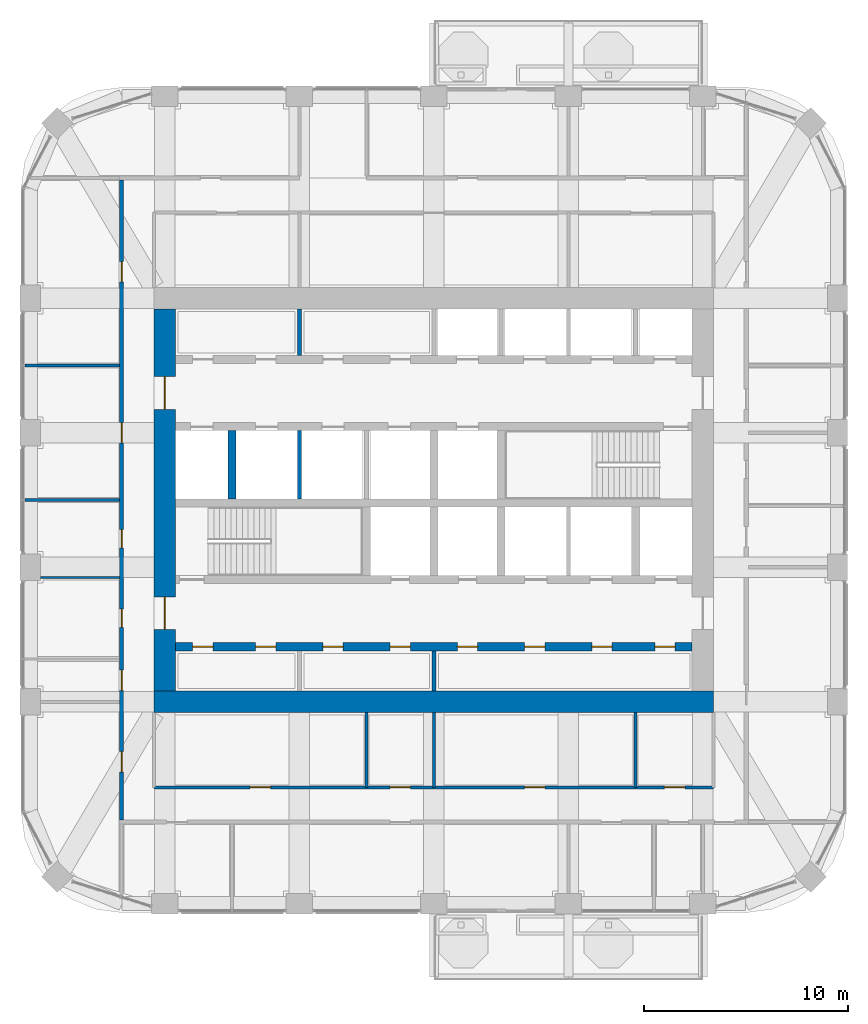
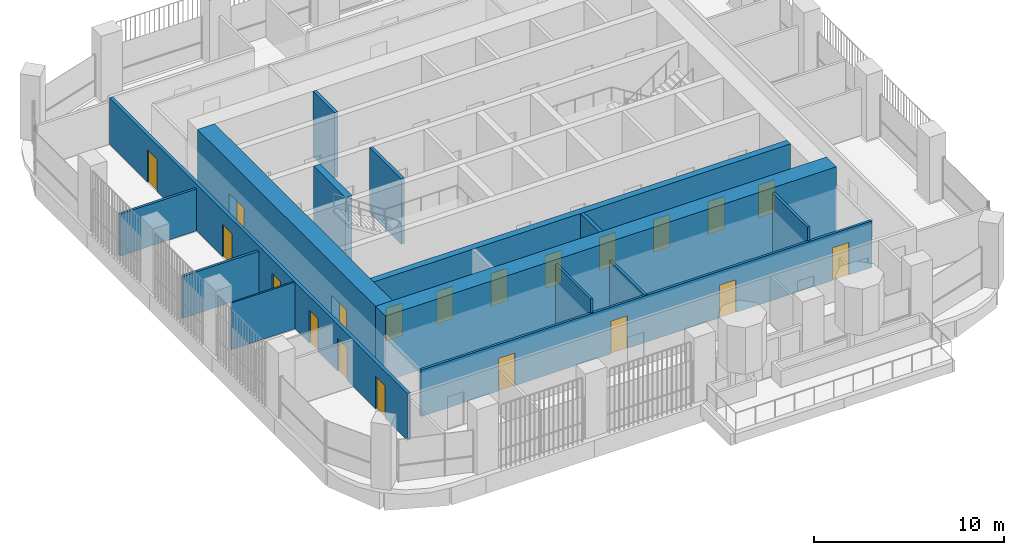
# One storey, part 14 of 20: 20 doors, 15 walls, 20 openings.
"""IFC4 building model written with IfcOpenShell, lengths in metres."""

from ifc_helpers import new_model, si_unit, direction, frame, frame_2d, origin, place, context, subcontext, project, spatial, rectangle, extrude, material, layer, layer_set, type_object, element, fill, save


model = new_model("IFC4")

# Units and contexts
model_context = context("Model", 3, precision=1e-05, world=origin(), true_north=direction((0.0, 1.0)))
body_context = subcontext(model_context, "Body", "Model", "MODEL_VIEW")
ifc_project = project(units=[si_unit("LENGTHUNIT", "METRE"), si_unit("AREAUNIT", "SQUARE_METRE"), si_unit("VOLUMEUNIT", "CUBIC_METRE"), si_unit("PLANEANGLEUNIT", "RADIAN"), si_unit("MASSUNIT", "GRAM", prefix="KILO")], contexts=[model_context])

# Site, building, storey
site_placement = place(None, origin())
site = spatial("IfcSite", under=ifc_project, at=site_placement, CompositionType="ELEMENT")
building_placement = place(site_placement, origin())
building = spatial("IfcBuilding", under=site, at=building_placement, Name="Cobogo Forest Laboratory Tower", CompositionType="ELEMENT")
storey_placement = place(building_placement, frame((0.0, 0.0, 233.39990234375)))
storey = spatial("IfcBuildingStorey", under=building, at=storey_placement, Name="L53", CompositionType="ELEMENT", Elevation=233.39990234375)

# Wall, openings, doors
ifc_material_1 = material(Name="Concrete HA-50 (C50/60)", Category="concrete")
ifc_layer_1 = layer(ifc_material_1, 0.39990234375)
ifc_layer_set_1 = layer_set([ifc_layer_1], Name="CI400 core inner wall 400")
wall_type_1 = type_object("IfcWallType", Name="CI400 core inner wall 400", PredefinedType="SHEAR", material=ifc_layer_set_1)
wall_1_placement = place(storey_placement, frame((13.72509765625, 15.89990234375, 0.0), z_axis=(0.0, 0.0, 1.0), x_axis=(1.0, 0.0, 0.0)))
wall_1 = element("IfcWall", 1, at=wall_1_placement, inside=storey, type_object=wall_type_1, Name="Core wall CI-15.9 L53", PredefinedType="SHEAR", context=body_context, shape_type="SweptSolid", body=[
    extrude(rectangle(XDim=25.349853515625, YDim=0.39990234375, at=frame_2d((12.6748046875, 0.0))), origin(), (0.0, 0.0, 1.0), 4.2001953125),
])
opening_1_placement = place(wall_1_placement, frame((0.83740234375, 0.0, 0.0)))
opening_1 = element("IfcOpeningElement", 2, at=opening_1_placement, cuts=wall_1, Name="Opening L53-D14", PredefinedType="OPENING", context=body_context, shape_type="SweptSolid", body=[
    extrude(rectangle(XDim=1.0, YDim=2.10009765625, at=frame_2d((0.5, 1.050048828125))), frame((0.0, 0.2099609375, 0.0), z_axis=(0.0, -1.0, 0.0), x_axis=(1.0, 0.0, 0.0)), (0.0, 0.0, 1.0), 0.419921875),
])
opening_2_placement = place(wall_1_placement, frame((3.925048828125, 0.0, 0.0)))
opening_2 = element("IfcOpeningElement", 3, at=opening_2_placement, cuts=wall_1, Name="Opening L53-D15", PredefinedType="OPENING", context=body_context, shape_type="SweptSolid", body=[
    extrude(rectangle(XDim=1.0, YDim=2.10009765625, at=frame_2d((0.5, 1.050048828125))), frame((0.0, 0.2099609375, 0.0), z_axis=(0.0, -1.0, 0.0), x_axis=(1.0, 0.0, 0.0)), (0.0, 0.0, 1.0), 0.419921875),
])
opening_3_placement = place(wall_1_placement, frame((7.22509765625, 0.0, 0.0)))
opening_3 = element("IfcOpeningElement", 4, at=opening_3_placement, cuts=wall_1, Name="Opening L53-D16", PredefinedType="OPENING", context=body_context, shape_type="SweptSolid", body=[
    extrude(rectangle(XDim=1.0, YDim=2.10009765625, at=frame_2d((0.5, 1.050048828125))), frame((0.0, 0.2099609375, 0.0), z_axis=(0.0, -1.0, 0.0), x_axis=(1.0, 0.0, 0.0)), (0.0, 0.0, 1.0), 0.419921875),
])
opening_4_placement = place(wall_1_placement, frame((10.52490234375, 0.0, 0.0)))
opening_4 = element("IfcOpeningElement", 5, at=opening_4_placement, cuts=wall_1, Name="Opening L53-D17", PredefinedType="OPENING", context=body_context, shape_type="SweptSolid", body=[
    extrude(rectangle(XDim=1.0, YDim=2.10009765625, at=frame_2d((0.5, 1.050048828125))), frame((0.0, 0.2099609375, 0.0), z_axis=(0.0, -1.0, 0.0), x_axis=(1.0, 0.0, 0.0)), (0.0, 0.0, 1.0), 0.419921875),
])
opening_5_placement = place(wall_1_placement, frame((13.824951171875, 0.0, 0.0)))
opening_5 = element("IfcOpeningElement", 6, at=opening_5_placement, cuts=wall_1, Name="Opening L53-D18", PredefinedType="OPENING", context=body_context, shape_type="SweptSolid", body=[
    extrude(rectangle(XDim=1.0, YDim=2.10009765625, at=frame_2d((0.5, 1.050048828125))), frame((0.0, 0.2099609375, 0.0), z_axis=(0.0, -1.0, 0.0), x_axis=(1.0, 0.0, 0.0)), (0.0, 0.0, 1.0), 0.419921875),
])
opening_6_placement = place(wall_1_placement, frame((17.125, 0.0, 0.0)))
opening_6 = element("IfcOpeningElement", 7, at=opening_6_placement, cuts=wall_1, Name="Opening L53-D19", PredefinedType="OPENING", context=body_context, shape_type="SweptSolid", body=[
    extrude(rectangle(XDim=1.0, YDim=2.10009765625, at=frame_2d((0.5, 1.050048828125))), frame((0.0, 0.2099609375, 0.0), z_axis=(0.0, -1.0, 0.0), x_axis=(1.0, 0.0, 0.0)), (0.0, 0.0, 1.0), 0.419921875),
])
opening_7_placement = place(wall_1_placement, frame((20.425048828125, 0.0, 0.0)))
opening_7 = element("IfcOpeningElement", 8, at=opening_7_placement, cuts=wall_1, Name="Opening L53-D20", PredefinedType="OPENING", context=body_context, shape_type="SweptSolid", body=[
    extrude(rectangle(XDim=1.0, YDim=2.10009765625, at=frame_2d((0.5, 1.050048828125))), frame((0.0, 0.2099609375, 0.0), z_axis=(0.0, -1.0, 0.0), x_axis=(1.0, 0.0, 0.0)), (0.0, 0.0, 1.0), 0.419921875),
])
opening_8_placement = place(wall_1_placement, frame((23.512451171875, 0.0, 0.0)))
opening_8 = element("IfcOpeningElement", 9, at=opening_8_placement, cuts=wall_1, Name="Opening L53-D21", PredefinedType="OPENING", context=body_context, shape_type="SweptSolid", body=[
    extrude(rectangle(XDim=1.0, YDim=2.10009765625, at=frame_2d((0.5, 1.050048828125))), frame((0.0, 0.2099609375, 0.0), z_axis=(0.0, -1.0, 0.0), x_axis=(1.0, 0.0, 0.0)), (0.0, 0.0, 1.0), 0.419921875),
])
ifc_material_2 = material(Name="Steel fire door", Category="steel")
door_type_1 = type_object("IfcDoorType", Name="FD1 fire door 1000 EI2 60", OperationType="SINGLE_SWING_LEFT", PredefinedType="DOOR", material=ifc_material_2)
door_1_placement = place(opening_1_placement, origin())
door_1 = element("IfcDoor", 10, at=door_1_placement, inside=storey, type_object=door_type_1, Name="Door L53-SH-LA1", OperationType="SINGLE_SWING_LEFT", OverallHeight=2.10009765625, OverallWidth=1.0, PredefinedType="DOOR", context=body_context, shape_type="SweptSolid", body=[
    extrude(rectangle(XDim=1.0, YDim=2.10009765625, at=frame_2d((0.5, 1.050048828125))), frame((0.0, 0.02490234375, 0.0), z_axis=(0.0, -1.0, 0.0), x_axis=(1.0, 0.0, 0.0)), (0.0, 0.0, 1.0), 0.050048828125),
])
fill(opening_1, door_1)
door_2_placement = place(opening_2_placement, origin())
door_2 = element("IfcDoor", 11, at=door_2_placement, inside=storey, type_object=door_type_1, Name="Door L53-SH-LA2", OperationType="SINGLE_SWING_LEFT", OverallHeight=2.10009765625, OverallWidth=1.0, PredefinedType="DOOR", context=body_context, shape_type="SweptSolid", body=[
    extrude(rectangle(XDim=1.0, YDim=2.10009765625, at=frame_2d((0.5, 1.050048828125))), frame((0.0, 0.02490234375, 0.0), z_axis=(0.0, -1.0, 0.0), x_axis=(1.0, 0.0, 0.0)), (0.0, 0.0, 1.0), 0.050048828125),
])
fill(opening_2, door_2)
door_3_placement = place(opening_3_placement, origin())
door_3 = element("IfcDoor", 12, at=door_3_placement, inside=storey, type_object=door_type_1, Name="Door L53-SH-LA3", OperationType="SINGLE_SWING_LEFT", OverallHeight=2.10009765625, OverallWidth=1.0, PredefinedType="DOOR", context=body_context, shape_type="SweptSolid", body=[
    extrude(rectangle(XDim=1.0, YDim=2.10009765625, at=frame_2d((0.5, 1.050048828125))), frame((0.0, 0.02490234375, 0.0), z_axis=(0.0, -1.0, 0.0), x_axis=(1.0, 0.0, 0.0)), (0.0, 0.0, 1.0), 0.050048828125),
])
fill(opening_3, door_3)
door_4_placement = place(opening_4_placement, origin())
door_4 = element("IfcDoor", 13, at=door_4_placement, inside=storey, type_object=door_type_1, Name="Door L53-SH-LA4", OperationType="SINGLE_SWING_LEFT", OverallHeight=2.10009765625, OverallWidth=1.0, PredefinedType="DOOR", context=body_context, shape_type="SweptSolid", body=[
    extrude(rectangle(XDim=1.0, YDim=2.10009765625, at=frame_2d((0.5, 1.050048828125))), frame((0.0, 0.02490234375, 0.0), z_axis=(0.0, -1.0, 0.0), x_axis=(1.0, 0.0, 0.0)), (0.0, 0.0, 1.0), 0.050048828125),
])
fill(opening_4, door_4)
door_5_placement = place(opening_5_placement, origin())
door_5 = element("IfcDoor", 14, at=door_5_placement, inside=storey, type_object=door_type_1, Name="Door L53-SH-LB1", OperationType="SINGLE_SWING_RIGHT", OverallHeight=2.10009765625, OverallWidth=1.0, PredefinedType="DOOR", context=body_context, shape_type="SweptSolid", body=[
    extrude(rectangle(XDim=1.0, YDim=2.10009765625, at=frame_2d((0.5, 1.050048828125))), frame((0.0, 0.02490234375, 0.0), z_axis=(0.0, -1.0, 0.0), x_axis=(1.0, 0.0, 0.0)), (0.0, 0.0, 1.0), 0.050048828125),
])
fill(opening_5, door_5)
door_6_placement = place(opening_6_placement, origin())
door_6 = element("IfcDoor", 15, at=door_6_placement, inside=storey, type_object=door_type_1, Name="Door L53-SH-LB2", OperationType="SINGLE_SWING_RIGHT", OverallHeight=2.10009765625, OverallWidth=1.0, PredefinedType="DOOR", context=body_context, shape_type="SweptSolid", body=[
    extrude(rectangle(XDim=1.0, YDim=2.10009765625, at=frame_2d((0.5, 1.050048828125))), frame((0.0, 0.02490234375, 0.0), z_axis=(0.0, -1.0, 0.0), x_axis=(1.0, 0.0, 0.0)), (0.0, 0.0, 1.0), 0.050048828125),
])
fill(opening_6, door_6)
door_7_placement = place(opening_7_placement, origin())
door_7 = element("IfcDoor", 16, at=door_7_placement, inside=storey, type_object=door_type_1, Name="Door L53-SH-LB3", OperationType="SINGLE_SWING_RIGHT", OverallHeight=2.10009765625, OverallWidth=1.0, PredefinedType="DOOR", context=body_context, shape_type="SweptSolid", body=[
    extrude(rectangle(XDim=1.0, YDim=2.10009765625, at=frame_2d((0.5, 1.050048828125))), frame((0.0, 0.02490234375, 0.0), z_axis=(0.0, -1.0, 0.0), x_axis=(1.0, 0.0, 0.0)), (0.0, 0.0, 1.0), 0.050048828125),
])
fill(opening_7, door_7)
door_8_placement = place(opening_8_placement, origin())
door_8 = element("IfcDoor", 17, at=door_8_placement, inside=storey, type_object=door_type_1, Name="Door L53-SH-LB4", OperationType="SINGLE_SWING_RIGHT", OverallHeight=2.10009765625, OverallWidth=1.0, PredefinedType="DOOR", context=body_context, shape_type="SweptSolid", body=[
    extrude(rectangle(XDim=1.0, YDim=2.10009765625, at=frame_2d((0.5, 1.050048828125))), frame((0.0, 0.02490234375, 0.0), z_axis=(0.0, -1.0, 0.0), x_axis=(1.0, 0.0, 0.0)), (0.0, 0.0, 1.0), 0.050048828125),
])
fill(opening_8, door_8)

# Walls
wall_2_placement = place(storey_placement, frame((16.5, 23.14990234375, 0.0), z_axis=(0.0, 0.0, 1.0), x_axis=(0.0, 1.0, 0.0)))
element("IfcWall", 18, at=wall_2_placement, inside=storey, type_object=wall_type_1, Name="Core wall CX-16.5 L53", PredefinedType="SHEAR", context=body_context, shape_type="SweptSolid", body=[
    extrude(rectangle(XDim=3.35009765625, YDim=0.39990234375, at=frame_2d((1.675048828125, 0.0))), origin(), (0.0, 0.0, 1.0), 4.2001953125),
])
ifc_layer_2 = layer(ifc_material_1, 1.050048828125)
ifc_layer_set_2 = layer_set([ifc_layer_2], Name="CW1050 core outer wall 1050")
wall_type_2 = type_object("IfcWallType", Name="CW1050 core outer wall 1050", PredefinedType="SHEAR", material=ifc_layer_set_2)
wall_3_placement = place(storey_placement, frame((12.675048828125, 13.199951171875, 0.0), z_axis=(0.0, 0.0, 1.0), x_axis=(1.0, 0.0, 0.0)))
element("IfcWall", 19, at=wall_3_placement, inside=storey, type_object=wall_type_2, Name="Core wall CO-S L53", PredefinedType="SHEAR", context=body_context, shape_type="SweptSolid", body=[
    extrude(rectangle(XDim=27.449951171875, YDim=1.050048828125, at=frame_2d((13.72509765625, 0.0))), origin(), (0.0, 0.0, 1.0), 4.2001953125),
])

# Wall, openings, doors
wall_4_placement = place(storey_placement, frame((13.199951171875, 32.47509765625, 0.0), z_axis=(0.0, 0.0, 1.0), x_axis=(0.0, -1.0, 0.0)))
wall_4 = element("IfcWall", 20, at=wall_4_placement, inside=storey, type_object=wall_type_2, Name="Core wall CO-W L53", PredefinedType="SHEAR", context=body_context, shape_type="SweptSolid", body=[
    extrude(rectangle(XDim=18.75, YDim=1.050048828125, at=frame_2d((9.375, 0.0))), origin(), (0.0, 0.0, 1.0), 4.2001953125),
])
opening_9_placement = place(wall_4_placement, frame((14.125, 0.0, 0.0)))
opening_9 = element("IfcOpeningElement", 21, at=opening_9_placement, cuts=wall_4, Name="Opening L53-D23", PredefinedType="OPENING", context=body_context, shape_type="SweptSolid", body=[
    extrude(rectangle(XDim=1.60009765625, YDim=2.10009765625, at=frame_2d((0.800048828125, 1.050048828125))), frame((0.0, 0.534912109375, 0.0), z_axis=(0.0, -1.0, 0.0), x_axis=(1.0, 0.0, 0.0)), (0.0, 0.0, 1.0), 1.070068359375),
])
opening_10_placement = place(wall_4_placement, frame((3.324951171875, 0.0, 0.0)))
opening_10 = element("IfcOpeningElement", 22, at=opening_10_placement, cuts=wall_4, Name="Opening L53-D34", PredefinedType="OPENING", context=body_context, shape_type="SweptSolid", body=[
    extrude(rectangle(XDim=1.60009765625, YDim=2.10009765625, at=frame_2d((0.800048828125, 1.050048828125))), frame((0.0, 0.534912109375, 0.0), z_axis=(0.0, -1.0, 0.0), x_axis=(1.0, 0.0, 0.0)), (0.0, 0.0, 1.0), 1.070068359375),
])
door_type_2 = type_object("IfcDoorType", Name="DS2 protected lobby door pair 1600 EI2 60", OperationType="DOUBLE_DOOR_DOUBLE_SWING", PredefinedType="DOOR", material=ifc_material_2)
door_9_placement = place(opening_9_placement, origin())
door_9 = element("IfcDoor", 23, at=door_9_placement, inside=storey, type_object=door_type_2, Name="Door L53-CO-W-S", OperationType="DOUBLE_DOOR_DOUBLE_SWING", OverallHeight=2.10009765625, OverallWidth=1.60009765625, PredefinedType="DOOR", context=body_context, shape_type="SweptSolid", body=[
    extrude(rectangle(XDim=1.60009765625, YDim=2.10009765625, at=frame_2d((0.800048828125, 1.050048828125))), frame((0.0, 0.02490234375, 0.0), z_axis=(0.0, -1.0, 0.0), x_axis=(1.0, 0.0, 0.0)), (0.0, 0.0, 1.0), 0.050048828125),
])
fill(opening_9, door_9)
door_10_placement = place(opening_10_placement, origin())
door_10 = element("IfcDoor", 24, at=door_10_placement, inside=storey, type_object=door_type_2, Name="Door L53-CO-W-N", OperationType="DOUBLE_DOOR_DOUBLE_SWING", OverallHeight=2.10009765625, OverallWidth=1.60009765625, PredefinedType="DOOR", context=body_context, shape_type="SweptSolid", body=[
    extrude(rectangle(XDim=1.60009765625, YDim=2.10009765625, at=frame_2d((0.800048828125, 1.050048828125))), frame((0.0, 0.02490234375, 0.0), z_axis=(0.0, -1.0, 0.0), x_axis=(1.0, 0.0, 0.0)), (0.0, 0.0, 1.0), 0.050048828125),
])
fill(opening_10, door_10)

ifc_material_3 = material(Name="Gypsum board on steel studs", Category="steel")
ifc_layer_3 = layer(ifc_material_3, 0.14990234375)
ifc_layer_set_3 = layer_set([ifc_layer_3], Name="PT1 laboratory partition 150")
wall_type_3 = type_object("IfcWallType", Name="PT1 laboratory partition 150", PredefinedType="PARTITIONING", material=ifc_layer_set_3)
wall_5_placement = place(storey_placement, frame((12.675048828125, 9.0, 0.0), z_axis=(0.0, 0.0, 1.0), x_axis=(1.0, 0.0, 0.0)))
wall_5 = element("IfcWall", 25, at=wall_5_placement, inside=storey, type_object=wall_type_3, Name="Partition CSTRIP-S L53", PredefinedType="PARTITIONING", context=body_context, shape_type="SweptSolid", body=[
    extrude(rectangle(XDim=27.449951171875, YDim=0.14990234375, at=frame_2d((13.72509765625, 0.0))), origin(), (0.0, 0.0, 1.0), 3.0),
])
opening_11_placement = place(wall_5_placement, frame((4.71240234375, 0.0, 0.0)))
opening_11 = element("IfcOpeningElement", 26, at=opening_11_placement, cuts=wall_5, Name="Opening L53-D07", PredefinedType="OPENING", context=body_context, shape_type="SweptSolid", body=[
    extrude(rectangle(XDim=1.0, YDim=2.10009765625, at=frame_2d((0.5, 1.050048828125))), frame((0.0, 0.0849609375, 0.0), z_axis=(0.0, -1.0, 0.0), x_axis=(1.0, 0.0, 0.0)), (0.0, 0.0, 1.0), 0.169921875),
])
opening_12_placement = place(wall_5_placement, frame((11.574951171875, 0.0, 0.0)))
opening_12 = element("IfcOpeningElement", 27, at=opening_12_placement, cuts=wall_5, Name="Opening L53-D08", PredefinedType="OPENING", context=body_context, shape_type="SweptSolid", body=[
    extrude(rectangle(XDim=1.0, YDim=2.10009765625, at=frame_2d((0.5, 1.050048828125))), frame((0.0, 0.0849609375, 0.0), z_axis=(0.0, -1.0, 0.0), x_axis=(1.0, 0.0, 0.0)), (0.0, 0.0, 1.0), 0.169921875),
])
opening_13_placement = place(wall_5_placement, frame((18.175048828125, 0.0, 0.0)))
opening_13 = element("IfcOpeningElement", 28, at=opening_13_placement, cuts=wall_5, Name="Opening L53-D09", PredefinedType="OPENING", context=body_context, shape_type="SweptSolid", body=[
    extrude(rectangle(XDim=1.0, YDim=2.10009765625, at=frame_2d((0.5, 1.050048828125))), frame((0.0, 0.0849609375, 0.0), z_axis=(0.0, -1.0, 0.0), x_axis=(1.0, 0.0, 0.0)), (0.0, 0.0, 1.0), 0.169921875),
])
opening_14_placement = place(wall_5_placement, frame((25.03759765625, 0.0, 0.0)))
opening_14 = element("IfcOpeningElement", 29, at=opening_14_placement, cuts=wall_5, Name="Opening L53-D10", PredefinedType="OPENING", context=body_context, shape_type="SweptSolid", body=[
    extrude(rectangle(XDim=1.0, YDim=2.10009765625, at=frame_2d((0.5, 1.050048828125))), frame((0.0, 0.0849609375, 0.0), z_axis=(0.0, -1.0, 0.0), x_axis=(1.0, 0.0, 0.0)), (0.0, 0.0, 1.0), 0.169921875),
])
ifc_material_4 = material(Name="Timber fire door", Category="wood")
door_type_3 = type_object("IfcDoorType", Name="FD2 fire door 1000 EI2 30", OperationType="SINGLE_SWING_LEFT", PredefinedType="DOOR", material=ifc_material_4)
door_11_placement = place(opening_11_placement, origin())
door_11 = element("IfcDoor", 30, at=door_11_placement, inside=storey, type_object=door_type_3, Name="Door L53-CSS1", OperationType="SINGLE_SWING_LEFT", OverallHeight=2.10009765625, OverallWidth=1.0, PredefinedType="DOOR", context=body_context, shape_type="SweptSolid", body=[
    extrude(rectangle(XDim=1.0, YDim=2.10009765625, at=frame_2d((0.5, 1.050048828125))), frame((0.0, 0.02490234375, 0.0), z_axis=(0.0, -1.0, 0.0), x_axis=(1.0, 0.0, 0.0)), (0.0, 0.0, 1.0), 0.050048828125),
])
fill(opening_11, door_11)
door_12_placement = place(opening_12_placement, origin())
door_12 = element("IfcDoor", 31, at=door_12_placement, inside=storey, type_object=door_type_3, Name="Door L53-CSS2", OperationType="SINGLE_SWING_LEFT", OverallHeight=2.10009765625, OverallWidth=1.0, PredefinedType="DOOR", context=body_context, shape_type="SweptSolid", body=[
    extrude(rectangle(XDim=1.0, YDim=2.10009765625, at=frame_2d((0.5, 1.050048828125))), frame((0.0, 0.02490234375, 0.0), z_axis=(0.0, -1.0, 0.0), x_axis=(1.0, 0.0, 0.0)), (0.0, 0.0, 1.0), 0.050048828125),
])
fill(opening_12, door_12)
door_13_placement = place(opening_13_placement, origin())
door_13 = element("IfcDoor", 32, at=door_13_placement, inside=storey, type_object=door_type_3, Name="Door L53-CSS3", OperationType="SINGLE_SWING_RIGHT", OverallHeight=2.10009765625, OverallWidth=1.0, PredefinedType="DOOR", context=body_context, shape_type="SweptSolid", body=[
    extrude(rectangle(XDim=1.0, YDim=2.10009765625, at=frame_2d((0.5, 1.050048828125))), frame((0.0, 0.02490234375, 0.0), z_axis=(0.0, -1.0, 0.0), x_axis=(1.0, 0.0, 0.0)), (0.0, 0.0, 1.0), 0.050048828125),
])
fill(opening_13, door_13)
door_14_placement = place(opening_14_placement, origin())
door_14 = element("IfcDoor", 33, at=door_14_placement, inside=storey, type_object=door_type_3, Name="Door L53-CSS4", OperationType="SINGLE_SWING_RIGHT", OverallHeight=2.10009765625, OverallWidth=1.0, PredefinedType="DOOR", context=body_context, shape_type="SweptSolid", body=[
    extrude(rectangle(XDim=1.0, YDim=2.10009765625, at=frame_2d((0.5, 1.050048828125))), frame((0.0, 0.02490234375, 0.0), z_axis=(0.0, -1.0, 0.0), x_axis=(1.0, 0.0, 0.0)), (0.0, 0.0, 1.0), 0.050048828125),
])
fill(opening_14, door_14)

# Walls
wall_6_placement = place(storey_placement, frame((23.10009765625, 12.675048828125, 0.0), z_axis=(0.0, 0.0, 1.0), x_axis=(0.0, -1.0, 0.0)))
element("IfcWall", 34, at=wall_6_placement, inside=storey, type_object=wall_type_3, Name="Partition CSTRIP-S23.1 L53", PredefinedType="PARTITIONING", context=body_context, shape_type="SweptSolid", body=[
    extrude(rectangle(XDim=3.675048828125, YDim=0.14990234375, at=frame_2d((1.83740234375, 0.0))), origin(), (0.0, 0.0, 1.0), 3.900146484375),
])
wall_7_placement = place(storey_placement, frame((26.39990234375, 12.675048828125, 0.0), z_axis=(0.0, 0.0, 1.0), x_axis=(0.0, -1.0, 0.0)))
element("IfcWall", 35, at=wall_7_placement, inside=storey, type_object=wall_type_3, Name="Partition CSTRIP-S26.4 L53", PredefinedType="PARTITIONING", context=body_context, shape_type="SweptSolid", body=[
    extrude(rectangle(XDim=3.675048828125, YDim=0.14990234375, at=frame_2d((1.83740234375, 0.0))), origin(), (0.0, 0.0, 1.0), 3.0),
])
wall_8_placement = place(storey_placement, frame((36.300048828125, 12.675048828125, 0.0), z_axis=(0.0, 0.0, 1.0), x_axis=(0.0, -1.0, 0.0)))
element("IfcWall", 36, at=wall_8_placement, inside=storey, type_object=wall_type_3, Name="Partition CSTRIP-S36.3 L53", PredefinedType="PARTITIONING", context=body_context, shape_type="SweptSolid", body=[
    extrude(rectangle(XDim=3.675048828125, YDim=0.14990234375, at=frame_2d((1.83740234375, 0.0))), origin(), (0.0, 0.0, 1.0), 3.900146484375),
])
for number, where, z_axis, x_axis, name in (
    (37, (6.330078125, 23.10009765625, 0.0), (0.0, 0.0, 1.0), (1.0, 0.0, 0.0), "Partition SVC-W3-1 L53"),
    (38, (6.330078125, 29.699951171875, 0.0), (0.0, 0.0, 1.0), (1.0, 0.0, 0.0), "Partition CUT-W29.7-1 L53"),
):
    element("IfcWall", number, at=place(storey_placement, frame(where, z_axis=z_axis, x_axis=x_axis)), inside=storey, type_object=wall_type_3, Name=name, PredefinedType="PARTITIONING", context=body_context, shape_type="SweptSolid", body=[
        extrude(rectangle(XDim=4.64501953125, YDim=0.14990234375, at=frame_2d((2.322509765625, 0.0))), origin(), (0.0, 0.0, 1.0), 2.7001953125),
    ])

# Wall, openings, doors
ifc_layer_4 = layer(ifc_material_3, 0.199951171875)
ifc_layer_set_4 = layer_set([ifc_layer_4], Name="PT2 fire-rated corridor partition 200")
wall_type_4 = type_object("IfcWallType", Name="PT2 fire-rated corridor partition 200", PredefinedType="PARTITIONING", material=ifc_layer_set_4)
wall_9_placement = place(storey_placement, frame((11.074951171875, 7.39990234375, 0.0), z_axis=(0.0, 0.0, 1.0), x_axis=(0.0, 1.0, 0.0)))
wall_9 = element("IfcWall", 39, at=wall_9_placement, inside=storey, type_object=wall_type_4, Name="Partition CORR-W L53", PredefinedType="PARTITIONING", context=body_context, shape_type="SweptSolid", body=[
    extrude(rectangle(XDim=31.400146484375, YDim=0.199951171875, at=frame_2d((15.7001953125, 0.0))), origin(), (0.0, 0.0, 1.0), 3.0),
])
opening_15_placement = place(wall_9_placement, frame((2.35009765625, 0.0, 0.0)))
opening_15 = element("IfcOpeningElement", 40, at=opening_15_placement, cuts=wall_9, Name="Opening L53-D11", PredefinedType="OPENING", context=body_context, shape_type="SweptSolid", body=[
    extrude(rectangle(XDim=1.0, YDim=2.10009765625, at=frame_2d((0.5, 1.050048828125))), frame((0.0, 0.10986328125, 0.0), z_axis=(0.0, -1.0, 0.0), x_axis=(1.0, 0.0, 0.0)), (0.0, 0.0, 1.0), 0.219970703125),
])
opening_16_placement = place(wall_9_placement, frame((6.35009765625, 0.0, 0.0)))
opening_16 = element("IfcOpeningElement", 41, at=opening_16_placement, cuts=wall_9, Name="Opening L53-D13", PredefinedType="OPENING", context=body_context, shape_type="SweptSolid", body=[
    extrude(rectangle(XDim=1.0, YDim=2.10009765625, at=frame_2d((0.5, 1.050048828125))), frame((0.0, 0.10986328125, 0.0), z_axis=(0.0, -1.0, 0.0), x_axis=(1.0, 0.0, 0.0)), (0.0, 0.0, 1.0), 0.219970703125),
])
opening_17_placement = place(wall_9_placement, frame((9.449951171875, 0.0, 0.0)))
opening_17 = element("IfcOpeningElement", 42, at=opening_17_placement, cuts=wall_9, Name="Opening L53-D22", PredefinedType="OPENING", context=body_context, shape_type="SweptSolid", body=[
    extrude(rectangle(XDim=0.89990234375, YDim=2.10009765625, at=frame_2d((0.449951171875, 1.050048828125))), frame((0.0, 0.10986328125, 0.0), z_axis=(0.0, -1.0, 0.0), x_axis=(1.0, 0.0, 0.0)), (0.0, 0.0, 1.0), 0.219970703125),
])
opening_18_placement = place(wall_9_placement, frame((13.35009765625, 0.0, 0.0)))
opening_18 = element("IfcOpeningElement", 43, at=opening_18_placement, cuts=wall_9, Name="Opening L53-D28", PredefinedType="OPENING", context=body_context, shape_type="SweptSolid", body=[
    extrude(rectangle(XDim=0.89990234375, YDim=2.10009765625, at=frame_2d((0.449951171875, 1.050048828125))), frame((0.0, 0.10986328125, 0.0), z_axis=(0.0, -1.0, 0.0), x_axis=(1.0, 0.0, 0.0)), (0.0, 0.0, 1.0), 0.219970703125),
])
opening_19_placement = place(wall_9_placement, frame((18.5, 0.0, 0.0)))
opening_19 = element("IfcOpeningElement", 44, at=opening_19_placement, cuts=wall_9, Name="Opening L53-D31", PredefinedType="OPENING", context=body_context, shape_type="SweptSolid", body=[
    extrude(rectangle(XDim=1.0, YDim=2.10009765625, at=frame_2d((0.5, 1.050048828125))), frame((0.0, 0.10986328125, 0.0), z_axis=(0.0, -1.0, 0.0), x_axis=(1.0, 0.0, 0.0)), (0.0, 0.0, 1.0), 0.219970703125),
])
opening_20_placement = place(wall_9_placement, frame((26.39990234375, 0.0, 0.0)))
opening_20 = element("IfcOpeningElement", 45, at=opening_20_placement, cuts=wall_9, Name="Opening L53-D40", PredefinedType="OPENING", context=body_context, shape_type="SweptSolid", body=[
    extrude(rectangle(XDim=1.0, YDim=2.10009765625, at=frame_2d((0.5, 1.050048828125))), frame((0.0, 0.10986328125, 0.0), z_axis=(0.0, -1.0, 0.0), x_axis=(1.0, 0.0, 0.0)), (0.0, 0.0, 1.0), 0.219970703125),
])
door_15_placement = place(opening_15_placement, origin())
door_15 = element("IfcDoor", 46, at=door_15_placement, inside=storey, type_object=door_type_3, Name="Door L53-W1", OperationType="SINGLE_SWING_LEFT", OverallHeight=2.10009765625, OverallWidth=1.0, PredefinedType="DOOR", context=body_context, shape_type="SweptSolid", body=[
    extrude(rectangle(XDim=1.0, YDim=2.10009765625, at=frame_2d((0.5, 1.050048828125))), frame((0.0, 0.02490234375, 0.0), z_axis=(0.0, -1.0, 0.0), x_axis=(1.0, 0.0, 0.0)), (0.0, 0.0, 1.0), 0.050048828125),
])
fill(opening_15, door_15)
door_16_placement = place(opening_19_placement, origin())
door_16 = element("IfcDoor", 47, at=door_16_placement, inside=storey, type_object=door_type_3, Name="Door L53-W2", OperationType="SINGLE_SWING_RIGHT", OverallHeight=2.10009765625, OverallWidth=1.0, PredefinedType="DOOR", context=body_context, shape_type="SweptSolid", body=[
    extrude(rectangle(XDim=1.0, YDim=2.10009765625, at=frame_2d((0.5, 1.050048828125))), frame((0.0, 0.02490234375, 0.0), z_axis=(0.0, -1.0, 0.0), x_axis=(1.0, 0.0, 0.0)), (0.0, 0.0, 1.0), 0.050048828125),
])
fill(opening_19, door_16)
door_17_placement = place(opening_20_placement, origin())
door_17 = element("IfcDoor", 48, at=door_17_placement, inside=storey, type_object=door_type_3, Name="Door L53-W3", OperationType="SINGLE_SWING_RIGHT", OverallHeight=2.10009765625, OverallWidth=1.0, PredefinedType="DOOR", context=body_context, shape_type="SweptSolid", body=[
    extrude(rectangle(XDim=1.0, YDim=2.10009765625, at=frame_2d((0.5, 1.050048828125))), frame((0.0, 0.02490234375, 0.0), z_axis=(0.0, -1.0, 0.0), x_axis=(1.0, 0.0, 0.0)), (0.0, 0.0, 1.0), 0.050048828125),
])
fill(opening_20, door_17)
door_type_4 = type_object("IfcDoorType", Name="FD3 toilet fire door 900 EI2 30", OperationType="SINGLE_SWING_LEFT", PredefinedType="DOOR", material=ifc_material_4)
door_18_placement = place(opening_17_placement, origin())
door_18 = element("IfcDoor", 49, at=door_18_placement, inside=storey, type_object=door_type_4, Name="Door L53-WCF", OperationType="SINGLE_SWING_LEFT", OverallHeight=2.10009765625, OverallWidth=0.89990234375, PredefinedType="DOOR", context=body_context, shape_type="SweptSolid", body=[
    extrude(rectangle(XDim=0.89990234375, YDim=2.10009765625, at=frame_2d((0.449951171875, 1.050048828125))), frame((0.0, 0.02490234375, 0.0), z_axis=(0.0, -1.0, 0.0), x_axis=(1.0, 0.0, 0.0)), (0.0, 0.0, 1.0), 0.050048828125),
])
fill(opening_17, door_18)
door_19_placement = place(opening_18_placement, origin())
door_19 = element("IfcDoor", 50, at=door_19_placement, inside=storey, type_object=door_type_4, Name="Door L53-WCM", OperationType="SINGLE_SWING_LEFT", OverallHeight=2.10009765625, OverallWidth=0.89990234375, PredefinedType="DOOR", context=body_context, shape_type="SweptSolid", body=[
    extrude(rectangle(XDim=0.89990234375, YDim=2.10009765625, at=frame_2d((0.449951171875, 1.050048828125))), frame((0.0, 0.02490234375, 0.0), z_axis=(0.0, -1.0, 0.0), x_axis=(1.0, 0.0, 0.0)), (0.0, 0.0, 1.0), 0.050048828125),
])
fill(opening_18, door_19)
door_type_5 = type_object("IfcDoorType", Name="FDA1 accessible toilet fire door 1000 EI2 30", OperationType="SINGLE_SWING_RIGHT", PredefinedType="DOOR", material=ifc_material_4)
door_20_placement = place(opening_16_placement, origin())
door_20 = element("IfcDoor", 51, at=door_20_placement, inside=storey, type_object=door_type_5, Name="Door L53-WCA", OperationType="SINGLE_SWING_LEFT", OverallHeight=2.10009765625, OverallWidth=1.0, PredefinedType="DOOR", context=body_context, shape_type="SweptSolid", body=[
    extrude(rectangle(XDim=1.0, YDim=2.10009765625, at=frame_2d((0.5, 1.050048828125))), frame((0.0, 0.02490234375, 0.0), z_axis=(0.0, -1.0, 0.0), x_axis=(1.0, 0.0, 0.0)), (0.0, 0.0, 1.0), 0.050048828125),
])
fill(opening_16, door_20)

# Walls
ifc_layer_5 = layer(ifc_material_3, 0.10009765625)
ifc_layer_set_5 = layer_set([ifc_layer_5], Name="PT3 toilet partition 100")
wall_type_5 = type_object("IfcWallType", Name="PT3 toilet partition 100", PredefinedType="PARTITIONING", material=ifc_layer_set_5)
wall_10_placement = place(storey_placement, frame((7.10009765625, 19.300048828125, 0.0), z_axis=(0.0, 0.0, 1.0), x_axis=(1.0, 0.0, 0.0)))
element("IfcWall", 52, at=wall_10_placement, inside=storey, type_object=wall_type_5, Name="Partition SVC-W2-1 L53", PredefinedType="PARTITIONING", context=body_context, shape_type="SweptSolid", body=[
    extrude(rectangle(XDim=3.875, YDim=0.10009765625, at=frame_2d((1.9375, 0.0))), origin(), (0.0, 0.0, 1.0), 3.0),
])
ifc_material_5 = material(Name="Concrete block", Category="concrete")
ifc_layer_6 = layer(ifc_material_5, 0.199951171875)
ifc_layer_set_6 = layer_set([ifc_layer_6], Name="SW200 lift shaft separator 200")
wall_type_6 = type_object("IfcWallType", Name="SW200 lift shaft separator 200", PredefinedType="PARTITIONING", material=ifc_layer_set_6)
wall_11_placement = place(storey_placement, frame((19.800048828125, 30.199951171875, 0.0), z_axis=(0.0, 0.0, 1.0), x_axis=(0.0, 1.0, 0.0)))
element("IfcWall", 53, at=wall_11_placement, inside=storey, type_object=wall_type_6, Name="Core wall SEP-N2 L53", PredefinedType="PARTITIONING", context=body_context, shape_type="SweptSolid", body=[
    extrude(rectangle(XDim=2.275146484375, YDim=0.199951171875, at=frame_2d((1.1376953125, 0.0))), origin(), (0.0, 0.0, 1.0), 4.2001953125),
])
wall_12_placement = place(storey_placement, frame((26.39990234375, 13.72509765625, 0.0), z_axis=(0.0, 0.0, 1.0), x_axis=(0.0, 1.0, 0.0)))
element("IfcWall", 54, at=wall_12_placement, inside=storey, type_object=wall_type_6, Name="Core wall SEP-S4 L53", PredefinedType="PARTITIONING", context=body_context, shape_type="SweptSolid", body=[
    extrude(rectangle(XDim=1.974853515625, YDim=0.199951171875, at=frame_2d((0.9873046875, 0.0))), origin(), (0.0, 0.0, 1.0), 4.2001953125),
])
wall_13_placement = place(storey_placement, frame((19.800048828125, 23.14990234375, 0.0), z_axis=(0.0, 0.0, 1.0), x_axis=(0.0, 1.0, 0.0)))
element("IfcWall", 55, at=wall_13_placement, inside=storey, type_object=wall_type_6, Name="Core wall SEP-M19.8 L53", PredefinedType="PARTITIONING", context=body_context, shape_type="SweptSolid", body=[
    extrude(rectangle(XDim=3.35009765625, YDim=0.199951171875, at=frame_2d((1.675048828125, 0.0))), origin(), (0.0, 0.0, 1.0), 4.2001953125),
])

save(model, "model.ifc")
